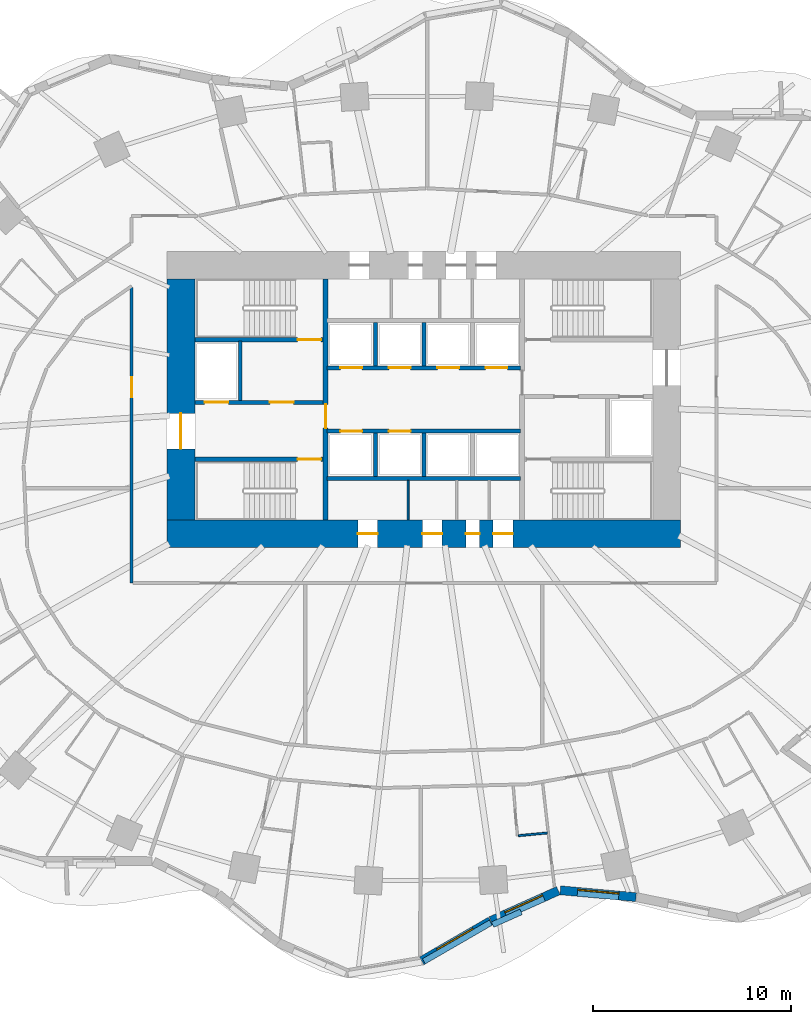
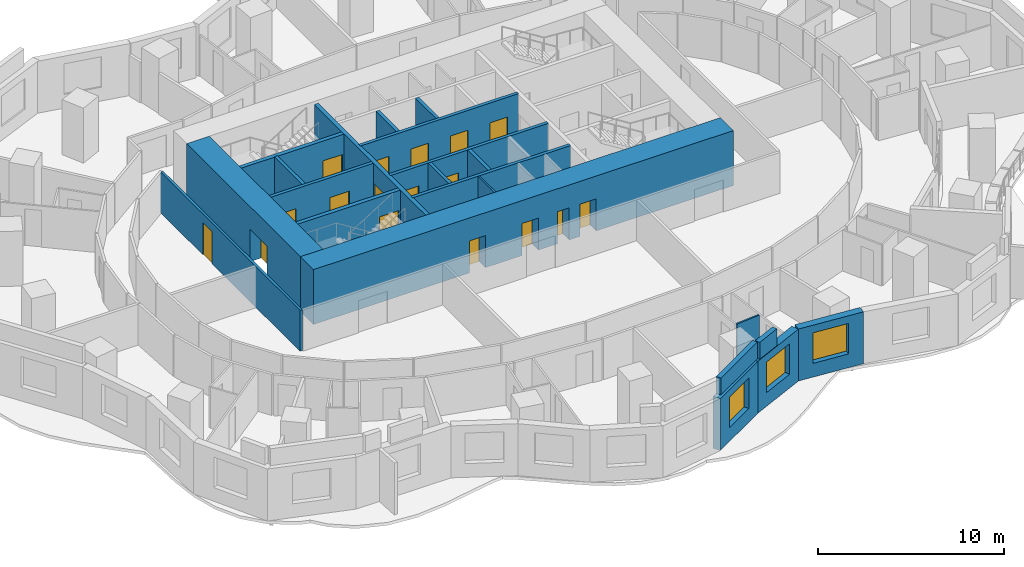
# One storey, part 6 of 14: 22 walls, 17 doors, 3 windows, 20 openings.
"""IFC4 building model written with IfcOpenShell, lengths in metres."""

import ifcopenshell
import ifcopenshell.guid

model = None  # the IFC model being written
_history = None  # IfcOwnerHistory: only IFC2X3 demands one
_inside = {}  # id of a spatial element -> (the spatial element, [elements in it])
_under = {}  # id of a project, library or spatial element -> (it, [spatial elements below it])
_declared = {}  # id of a project -> (the project, [libraries it declares])
_typed = {}  # id of a type object -> (the type object, [elements of that type])
_made_of = {}  # id of a material, layer set ... -> (it, [elements and type objects made of it])


def new_model(schema):
    """Start an empty IFC model of exactly this schema.

    Asked for "IFC4X3", IfcOpenShell would pick the latest addendum, in which some entities
    have other attributes; the version numbers below select the first issue.
    IFC2X3 requires an IfcOwnerHistory on every rooted entity: one is made here for all.
    """
    global model, _history
    if schema == "IFC4X3":
        model = ifcopenshell.file(schema_version=(4, 3, 0, 0))
    else:
        model = ifcopenshell.file(schema=schema)
    _inside.clear()
    _under.clear()
    _declared.clear()
    _typed.clear()
    _made_of.clear()
    _history = None
    if model.schema == "IFC2X3":
        org = make("IfcOrganization", Name="unknown")
        user = make(
            "IfcPersonAndOrganization",
            ThePerson=make("IfcPerson", FamilyName="unknown"),
            TheOrganization=org,
        )
        app = make(
            "IfcApplication",
            ApplicationDeveloper=org,
            Version="unknown",
            ApplicationFullName="unknown",
            ApplicationIdentifier="unknown",
        )
        _history = make(
            "IfcOwnerHistory",
            OwningUser=user,
            OwningApplication=app,
            ChangeAction="ADDED",
            CreationDate=0,
        )
    return model


def make(cls, **values):
    """One entity of the class cls with the attributes given. An attribute that is None is left unset."""
    return model.create_entity(
        cls, **{name: value for name, value in values.items() if value is not None}
    )


def rooted(cls, **values):
    """An entity with a GlobalId (a new one), such as an element, a storey or a relation."""
    return make(cls, GlobalId=ifcopenshell.guid.new(), OwnerHistory=_history, **values)


def si_unit(unit_type, name, prefix=None):
    """IfcSIUnit, for example si_unit("LENGTHUNIT", "METRE", prefix="MILLI")."""
    return make("IfcSIUnit", UnitType=unit_type, Prefix=prefix, Name=name)


def assignment(units):
    """IfcUnitAssignment: the units of a project."""
    return None if units is None else make("IfcUnitAssignment", Units=units)


def point(xyz):
    """IfcCartesianPoint."""
    return None if xyz is None else make("IfcCartesianPoint", Coordinates=xyz)


def direction(xyz):
    """IfcDirection."""
    return None if xyz is None else make("IfcDirection", DirectionRatios=xyz)


def frame(location, z_axis=None, x_axis=None):
    """IfcAxis2Placement3D, a coordinate frame: its origin and axes. An axis left out is left unset."""
    return make(
        "IfcAxis2Placement3D",
        Location=point(location),
        Axis=direction(z_axis),
        RefDirection=direction(x_axis),
    )


def frame_2d(location, x_axis=None):
    """IfcAxis2Placement2D, a coordinate frame in the plane: its origin and x axis."""
    return make(
        "IfcAxis2Placement2D", Location=point(location), RefDirection=direction(x_axis)
    )


def origin():
    """The frame at (0, 0, 0) with its axes left unset."""
    return frame((0.0, 0.0, 0.0))


def place(relative_to, where):
    """IfcLocalPlacement: puts the frame where relative to a parent placement (None: the world)."""
    return make(
        "IfcLocalPlacement", PlacementRelTo=relative_to, RelativePlacement=where
    )


def context(
    kind, dimensions, precision=None, world=None, true_north=None, identifier=None
):
    """IfcGeometricRepresentationContext, for example the 3D "Model" context."""
    return make(
        "IfcGeometricRepresentationContext",
        ContextIdentifier=identifier,
        ContextType=kind,
        CoordinateSpaceDimension=dimensions,
        Precision=precision,
        WorldCoordinateSystem=world,
        TrueNorth=true_north,
    )


def subcontext(parent, identifier, kind, view, scale=None):
    """IfcGeometricRepresentationSubContext, for example "Body" below "Model"."""
    return make(
        "IfcGeometricRepresentationSubContext",
        ContextIdentifier=identifier,
        ContextType=kind,
        ParentContext=parent,
        TargetScale=scale,
        TargetView=view,
    )


def project(units=None, contexts=None):
    """IfcProject with its units and contexts."""
    return rooted(
        "IfcProject",
        Name="project",
        RepresentationContexts=contexts,
        UnitsInContext=assignment(units),
    )


def spatial(cls, under=None, at=None, **own):
    """A site, building, storey or space (cls), placed at a placement, below another one or the project."""
    s = rooted(cls, ObjectPlacement=at, **own)
    if under is not None:
        _under.setdefault(under.id(), (under, []))[1].append(s)
    return s


def profile(cls, at=None, kind="AREA", **sizes):
    """A parametric profile (cls). Its sizes go by their IFC names, for example OverallWidth=200.0."""
    return make(cls, ProfileType=kind, Position=at, **sizes)


def rectangle(**sizes):
    """IfcRectangleProfileDef."""
    return profile("IfcRectangleProfileDef", **sizes)


def extrude(swept, where, along, depth):
    """IfcExtrudedAreaSolid: the profile swept, set in the frame where, extruded along a direction by depth."""
    return make(
        "IfcExtrudedAreaSolid",
        SweptArea=swept,
        Position=where,
        ExtrudedDirection=direction(along),
        Depth=depth,
    )


def shape(context_of_items, identifier, shape_type, items):
    """IfcShapeRepresentation: the items that make up one representation, for example the "Body"."""
    return make(
        "IfcShapeRepresentation",
        ContextOfItems=context_of_items,
        RepresentationIdentifier=identifier,
        RepresentationType=shape_type,
        Items=items,
    )


def material(Name=None, Category=None):
    """IfcMaterial."""
    return make("IfcMaterial", Name=Name, Category=Category)


def layer(
    of_material, thickness, ventilated=None, Name=None, Category=None, Priority=None
):
    """IfcMaterialLayer: one layer of a wall or slab, of a material (None: an air gap)."""
    return make(
        "IfcMaterialLayer",
        Material=of_material,
        LayerThickness=thickness,
        IsVentilated=ventilated,
        Name=Name,
        Category=Category,
        Priority=Priority,
    )


def layer_set(layers, Name=None):
    """IfcMaterialLayerSet."""
    return make("IfcMaterialLayerSet", MaterialLayers=layers, LayerSetName=Name)


def made_of(thing, what):
    """Note that an element or type object is made of a material, layer set ...; save() writes the relation."""
    if what is not None:
        _made_of.setdefault(what.id(), (what, []))[1].append(thing)
    return thing


def type_object(cls, material=None, **own):
    """A type object (cls), such as IfcWallType, which elements share."""
    return made_of(rooted(cls, **own), material)


def element(
    cls,
    number,
    at=None,
    inside=None,
    cuts=None,
    type_object=None,
    material=None,
    context=None,
    identifier="Body",
    shape_type=None,
    held_by="IfcProductDefinitionShape",
    body=None,
    shapes=None,
    **own,
):
    """One element of the class cls, such as IfcWall. Its Tag is "e" and its number.

    at: its placement. inside: the storey or other place that contains it. cuts: it is an
    opening in that element (IfcRelVoidsElement). A single representation is given by context,
    identifier, shape_type and body (its items); several are given by shapes. held_by: the class
    of the entity that holds the representations. save() writes the other relations.
    """
    e = rooted(cls, Tag="e%d" % number, ObjectPlacement=at, **own)
    if body is not None:
        shapes = [shape(context, identifier, shape_type, body)]
    if shapes is not None:
        e.Representation = make(held_by, Representations=shapes)
    if inside is not None:
        _inside.setdefault(inside.id(), (inside, []))[1].append(e)
    if cuts is not None:
        rooted(
            "IfcRelVoidsElement", RelatingBuildingElement=cuts, RelatedOpeningElement=e
        )
    if type_object is not None:
        _typed.setdefault(type_object.id(), (type_object, []))[1].append(e)
    return made_of(e, material)


def fill(opening, filler):
    """IfcRelFillsElement: the door or window that sits in an opening."""
    return rooted(
        "IfcRelFillsElement",
        RelatingOpeningElement=opening,
        RelatedBuildingElement=filler,
    )


def aggregate(whole, parts):
    """IfcRelAggregates: a whole, such as a stair, and the parts it consists of."""
    return rooted("IfcRelAggregates", RelatingObject=whole, RelatedObjects=parts)


def save(model, path):
    """Write the relations noted so far, then the file.

    IfcRelAggregates (storeys below a building ...), IfcRelContainedInSpatialStructure (elements
    in a storey), IfcRelDefinesByType, IfcRelAssociatesMaterial and IfcRelDeclares: one each for
    every whole, place, type object, material and project.
    """
    for whole, parts in _under.values():
        aggregate(whole, parts)
    for where, things in _inside.values():
        rooted(
            "IfcRelContainedInSpatialStructure",
            RelatedElements=things,
            RelatingStructure=where,
        )
    for kind, things in _typed.values():
        rooted("IfcRelDefinesByType", RelatedObjects=things, RelatingType=kind)
    for what, things in _made_of.values():
        rooted("IfcRelAssociatesMaterial", RelatedObjects=things, RelatingMaterial=what)
    for by, libraries in _declared.values():
        rooted("IfcRelDeclares", RelatingContext=by, RelatedDefinitions=libraries)
    model.write(path)


model = new_model("IFC4")

# Units and contexts
model_context = context("Model", 3, precision=1e-05, world=origin(), true_north=direction((0.0, 1.0)))
body_context = subcontext(model_context, "Body", "Model", "MODEL_VIEW")
ifc_project = project(units=[si_unit("LENGTHUNIT", "METRE"), si_unit("AREAUNIT", "SQUARE_METRE"), si_unit("VOLUMEUNIT", "CUBIC_METRE"), si_unit("PLANEANGLEUNIT", "RADIAN"), si_unit("MASSUNIT", "GRAM", prefix="KILO")], contexts=[model_context])

# Site, building, storey
site_placement = place(None, origin())
site = spatial("IfcSite", under=ifc_project, at=site_placement, CompositionType="ELEMENT")
building_placement = place(site_placement, origin())
building = spatial("IfcBuilding", under=site, at=building_placement, Name="Rubra Terraces Tower", CompositionType="ELEMENT")
storey_placement = place(building_placement, frame((0.0, 0.0, 62.699951171875)))
storey = spatial("IfcBuildingStorey", under=building, at=storey_placement, Name="L13", CompositionType="ELEMENT", Elevation=62.699951171875)

# Wall, opening, window
ifc_material_1 = material(Name="Brick masonry red-brown", Category="masonry")
ifc_layer_1 = layer(ifc_material_1, 0.449951171875)
ifc_layer_set_1 = layer_set([ifc_layer_1], Name="Brick masonry red-brown")
wall_type_1 = type_object("IfcWallType", Name="Brick facade wall 450", PredefinedType="SOLIDWALL", material=ifc_layer_set_1)
wall_1_placement = place(storey_placement, frame((-0.109375, -23.92041015625, 0.0), z_axis=(0.0, 0.0, 1.0), x_axis=(0.865557769603, 0.500809092848, 0.0)))
wall_1 = element("IfcWall", 1, at=wall_1_placement, inside=storey, type_object=wall_type_1, Name="Facade wall L13 bay 31", PredefinedType="SOLIDWALL", context=body_context, shape_type="SweptSolid", body=[
    extrude(rectangle(XDim=4.024658203125, YDim=0.449951171875, at=frame_2d((2.01220703125, 0.0))), origin(), (0.0, 0.0, 1.0), 3.400146484375),
])
opening_1_placement = place(wall_1_placement, frame((0.96240234375, 0.0, 0.89990234375)))
opening_1 = element("IfcOpeningElement", 2, at=opening_1_placement, cuts=wall_1, Name="Opening W1", PredefinedType="OPENING", context=body_context, shape_type="SweptSolid", body=[
    extrude(rectangle(XDim=2.10009765625, YDim=2.0, at=frame_2d((1.050048828125, 1.0))), frame((0.0, 0.23486328125, 0.0), z_axis=(0.0, -1.0, 0.0), x_axis=(1.0, 0.0, 0.0)), (0.0, 0.0, 1.0), 0.469970703125),
])
ifc_material_2 = material(Name="Clear glass in aluminium frame", Category="aluminium")
window_type = type_object("IfcWindowType", Name="Fixed deep-set window 2100 x 2000", PartitioningType="SINGLE_PANEL", PredefinedType="WINDOW", material=ifc_material_2)
window_1_placement = place(opening_1_placement, origin())
window_1 = element("IfcWindow", 3, at=window_1_placement, inside=storey, type_object=window_type, Name="Window L13 bay 31", OverallHeight=2.0, OverallWidth=2.10009765625, PartitioningType="SINGLE_PANEL", PredefinedType="WINDOW", context=body_context, shape_type="SweptSolid", body=[
    extrude(rectangle(XDim=2.10009765625, YDim=2.0, at=frame_2d((1.050048828125, 1.0))), frame((0.0, 0.135009765625, 0.0), z_axis=(0.0, -1.0, 0.0), x_axis=(1.0, 0.0, 0.0)), (0.0, 0.0, 1.0), 0.06005859375),
])
fill(opening_1, window_1)

wall_2_placement = place(storey_placement, frame((3.395263671875, -21.894287109375, 0.0), z_axis=(0.0, 0.0, 1.0), x_axis=(0.912496703183, 0.409084058208, 0.0)))
wall_2 = element("IfcWall", 4, at=wall_2_placement, inside=storey, type_object=wall_type_1, Name="Facade wall L13 bay 32", PredefinedType="SOLIDWALL", context=body_context, shape_type="SweptSolid", body=[
    extrude(rectangle(XDim=3.73486328125, YDim=0.449951171875, at=frame_2d((1.867431640625, 0.0))), origin(), (0.0, 0.0, 1.0), 3.400146484375),
])
opening_2_placement = place(wall_2_placement, frame((0.8173828125, 0.0, 0.89990234375)))
opening_2 = element("IfcOpeningElement", 5, at=opening_2_placement, cuts=wall_2, Name="Opening W1", PredefinedType="OPENING", context=body_context, shape_type="SweptSolid", body=[
    extrude(rectangle(XDim=2.10009765625, YDim=2.0, at=frame_2d((1.050048828125, 1.0))), frame((0.0, 0.23486328125, 0.0), z_axis=(0.0, -1.0, 0.0), x_axis=(1.0, 0.0, 0.0)), (0.0, 0.0, 1.0), 0.469970703125),
])
window_2_placement = place(opening_2_placement, origin())
window_2 = element("IfcWindow", 6, at=window_2_placement, inside=storey, type_object=window_type, Name="Window L13 bay 32", OverallHeight=2.0, OverallWidth=2.10009765625, PartitioningType="SINGLE_PANEL", PredefinedType="WINDOW", context=body_context, shape_type="SweptSolid", body=[
    extrude(rectangle(XDim=2.10009765625, YDim=2.0, at=frame_2d((1.050048828125, 1.0))), frame((0.0, 0.135009765625, 0.0), z_axis=(0.0, -1.0, 0.0), x_axis=(1.0, 0.0, 0.0)), (0.0, 0.0, 1.0), 0.06005859375),
])
fill(opening_2, window_2)

wall_3_placement = place(storey_placement, frame((6.905517578125, -20.348876953125, 0.0), z_axis=(0.0, 0.0, 1.0), x_axis=(0.995947174038, -0.089940127451, 0.0)))
wall_3 = element("IfcWall", 7, at=wall_3_placement, inside=storey, type_object=wall_type_1, Name="Facade wall L13 bay 33", PredefinedType="SOLIDWALL", context=body_context, shape_type="SweptSolid", body=[
    extrude(rectangle(XDim=3.84375, YDim=0.449951171875, at=frame_2d((1.921875, 0.0))), origin(), (0.0, 0.0, 1.0), 3.400146484375),
])
opening_3_placement = place(wall_3_placement, frame((0.871826171875, 0.0, 0.89990234375)))
opening_3 = element("IfcOpeningElement", 8, at=opening_3_placement, cuts=wall_3, Name="Opening W1", PredefinedType="OPENING", context=body_context, shape_type="SweptSolid", body=[
    extrude(rectangle(XDim=2.10009765625, YDim=2.0, at=frame_2d((1.050048828125, 1.0))), frame((0.0, 0.23486328125, 0.0), z_axis=(0.0, -1.0, 0.0), x_axis=(1.0, 0.0, 0.0)), (0.0, 0.0, 1.0), 0.469970703125),
])
window_3_placement = place(opening_3_placement, origin())
window_3 = element("IfcWindow", 9, at=window_3_placement, inside=storey, type_object=window_type, Name="Window L13 bay 33", OverallHeight=2.0, OverallWidth=2.10009765625, PartitioningType="SINGLE_PANEL", PredefinedType="WINDOW", context=body_context, shape_type="SweptSolid", body=[
    extrude(rectangle(XDim=2.10009765625, YDim=2.0, at=frame_2d((1.050048828125, 1.0))), frame((0.0, 0.135009765625, 0.0), z_axis=(0.0, -1.0, 0.0), x_axis=(1.0, 0.0, 0.0)), (0.0, 0.0, 1.0), 0.06005859375),
])
fill(opening_3, window_3)

# Walls
ifc_layer_2 = layer(ifc_material_1, 0.300048828125)
ifc_layer_set_2 = layer_set([ifc_layer_2], Name="Brick masonry red-brown")
wall_type_2 = type_object("IfcWallType", Name="Brick parapet 300", PredefinedType="PARAPET", material=ifc_layer_set_2)
wall_4_placement = place(storey_placement, frame((-0.002197265625, -23.945068359375, 3.60009765625), z_axis=(0.0, 0.0, 1.0), x_axis=(0.865550152763, 0.500822256945, 0.0)))
element("IfcWall", 10, at=wall_4_placement, inside=storey, type_object=wall_type_2, Name="Parapet L13 bay 31", PredefinedType="PARAPET", context=body_context, shape_type="SweptSolid", body=[
    extrude(rectangle(XDim=3.91259765625, YDim=0.300048828125, at=frame_2d((1.956298828125, 0.0))), origin(), (0.0, 0.0, 1.0), 1.099853515625),
])
wall_5_placement = place(storey_placement, frame((3.4775390625, -22.0869140625, 3.60009765625), z_axis=(0.0, 0.0, 1.0), x_axis=(0.91246752391, 0.409149138835, 0.0)))
element("IfcWall", 11, at=wall_5_placement, inside=storey, type_object=wall_type_2, Name="Parapet L13 bay 32", PredefinedType="PARAPET", context=body_context, shape_type="SweptSolid", body=[
    extrude(rectangle(XDim=1.578857421875, YDim=0.300048828125, at=frame_2d((0.78955078125, 0.0))), origin(), (0.0, 0.0, 1.0), 1.099853515625),
])

# Wall, openings, doors
ifc_material_3 = material(Name="Concrete C70", Category="concrete")
ifc_layer_3 = layer(ifc_material_3, 1.39990234375)
ifc_layer_set_3 = layer_set([ifc_layer_3], Name="Concrete C70")
wall_type_3 = type_object("IfcWallType", Name="CORE WALL 1400 C70", PredefinedType="SHEAR", material=ifc_layer_set_3)
wall_6_placement = place(storey_placement, frame((-13.0, -2.300048828125, 0.0), z_axis=(0.0, 0.0, 1.0), x_axis=(1.0, 0.0, 0.0)))
wall_6 = element("IfcWall", 12, at=wall_6_placement, inside=storey, type_object=wall_type_3, Name="CORE WALL S L13", PredefinedType="SHEAR", context=body_context, shape_type="SweptSolid", body=[
    extrude(rectangle(XDim=26.0, YDim=1.39990234375, at=frame_2d((13.0, 0.0))), origin(), (0.0, 0.0, 1.0), 3.60009765625),
])
opening_4_placement = place(wall_6_placement, frame((9.64990234375, 0.0, 0.0)))
opening_4 = element("IfcOpeningElement", 13, at=opening_4_placement, cuts=wall_6, Name="Opening L13.C19", PredefinedType="OPENING", context=body_context, shape_type="SweptSolid", body=[
    extrude(rectangle(XDim=1.0, YDim=2.10009765625, at=frame_2d((0.5, 1.050048828125))), frame((0.0, 0.7099609375, 0.0), z_axis=(0.0, -1.0, 0.0), x_axis=(1.0, 0.0, 0.0)), (0.0, 0.0, 1.0), 1.419921875),
])
opening_5_placement = place(wall_6_placement, frame((12.925048828125, 0.0, 0.0)))
opening_5 = element("IfcOpeningElement", 14, at=opening_5_placement, cuts=wall_6, Name="Opening L13.C20", PredefinedType="OPENING", context=body_context, shape_type="SweptSolid", body=[
    extrude(rectangle(XDim=1.0, YDim=2.10009765625, at=frame_2d((0.5, 1.050048828125))), frame((0.0, 0.7099609375, 0.0), z_axis=(0.0, -1.0, 0.0), x_axis=(1.0, 0.0, 0.0)), (0.0, 0.0, 1.0), 1.419921875),
])
opening_6_placement = place(wall_6_placement, frame((15.125, 0.0, 0.0)))
opening_6 = element("IfcOpeningElement", 15, at=opening_6_placement, cuts=wall_6, Name="Opening L13.C21", PredefinedType="OPENING", context=body_context, shape_type="SweptSolid", body=[
    extrude(rectangle(XDim=0.699951171875, YDim=2.10009765625, at=frame_2d((0.35009765625, 1.050048828125))), frame((0.0, 0.7099609375, 0.0), z_axis=(0.0, -1.0, 0.0), x_axis=(1.0, 0.0, 0.0)), (0.0, 0.0, 1.0), 1.419921875),
])
opening_7_placement = place(wall_6_placement, frame((16.5, 0.0, 0.0)))
opening_7 = element("IfcOpeningElement", 16, at=opening_7_placement, cuts=wall_6, Name="Opening L13.C22", PredefinedType="OPENING", context=body_context, shape_type="SweptSolid", body=[
    extrude(rectangle(XDim=1.0, YDim=2.10009765625, at=frame_2d((0.5, 1.050048828125))), frame((0.0, 0.7099609375, 0.0), z_axis=(0.0, -1.0, 0.0), x_axis=(1.0, 0.0, 0.0)), (0.0, 0.0, 1.0), 1.419921875),
])
ifc_material_4 = material(Name="Painted steel", Category="steel")
door_type_1 = type_object("IfcDoorType", Name="Fire door 1000x2100 single", OperationType="NOTDEFINED", PredefinedType="DOOR", material=ifc_material_4)
door_1_placement = place(opening_4_placement, origin())
door_1 = element("IfcDoor", 17, at=door_1_placement, inside=storey, type_object=door_type_1, Name="Linen store door", OperationType="SINGLE_SWING_LEFT", OverallHeight=2.10009765625, OverallWidth=1.0, PredefinedType="DOOR", context=body_context, shape_type="SweptSolid", body=[
    extrude(rectangle(XDim=1.0, YDim=2.10009765625, at=frame_2d((0.5, 1.050048828125))), frame((0.0, 0.02490234375, 0.0), z_axis=(0.0, -1.0, 0.0), x_axis=(1.0, 0.0, 0.0)), (0.0, 0.0, 1.0), 0.050048828125),
])
fill(opening_4, door_1)
door_2_placement = place(opening_5_placement, origin())
door_2 = element("IfcDoor", 18, at=door_2_placement, inside=storey, type_object=door_type_1, Name="Guest pantry door", OperationType="SINGLE_SWING_RIGHT", OverallHeight=2.10009765625, OverallWidth=1.0, PredefinedType="DOOR", context=body_context, shape_type="SweptSolid", body=[
    extrude(rectangle(XDim=1.0, YDim=2.10009765625, at=frame_2d((0.5, 1.050048828125))), frame((0.0, 0.02490234375, 0.0), z_axis=(0.0, -1.0, 0.0), x_axis=(1.0, 0.0, 0.0)), (0.0, 0.0, 1.0), 0.050048828125),
])
fill(opening_5, door_2)
door_3_placement = place(opening_7_placement, origin())
door_3 = element("IfcDoor", 19, at=door_3_placement, inside=storey, type_object=door_type_1, Name="Refuse room door", OperationType="SINGLE_SWING_RIGHT", OverallHeight=2.10009765625, OverallWidth=1.0, PredefinedType="DOOR", context=body_context, shape_type="SweptSolid", body=[
    extrude(rectangle(XDim=1.0, YDim=2.10009765625, at=frame_2d((0.5, 1.050048828125))), frame((0.0, 0.02490234375, 0.0), z_axis=(0.0, -1.0, 0.0), x_axis=(1.0, 0.0, 0.0)), (0.0, 0.0, 1.0), 0.050048828125),
])
fill(opening_7, door_3)
door_type_2 = type_object("IfcDoorType", Name="Riser access door 700x2100 single", OperationType="NOTDEFINED", PredefinedType="DOOR", material=ifc_material_4)
door_4_placement = place(opening_6_placement, origin())
door_4 = element("IfcDoor", 20, at=door_4_placement, inside=storey, type_object=door_type_2, Name="Telecoms room door", OperationType="SINGLE_SWING_LEFT", OverallHeight=2.10009765625, OverallWidth=0.699951171875, PredefinedType="DOOR", context=body_context, shape_type="SweptSolid", body=[
    extrude(rectangle(XDim=0.699951171875, YDim=2.10009765625, at=frame_2d((0.35009765625, 1.050048828125))), frame((0.0, 0.02490234375, 0.0), z_axis=(0.0, -1.0, 0.0), x_axis=(1.0, 0.0, 0.0)), (0.0, 0.0, 1.0), 0.050048828125),
])
fill(opening_6, door_4)

# Wall, opening, door
wall_7_placement = place(storey_placement, frame((-12.300048828125, -1.60009765625, 0.0), z_axis=(0.0, 0.0, 1.0), x_axis=(0.0, 1.0, 0.0)))
wall_7 = element("IfcWall", 21, at=wall_7_placement, inside=storey, type_object=wall_type_3, Name="CORE WALL W L13", PredefinedType="SHEAR", context=body_context, shape_type="SweptSolid", body=[
    extrude(rectangle(XDim=12.2001953125, YDim=1.39990234375, at=frame_2d((6.10009765625, 0.0))), origin(), (0.0, 0.0, 1.0), 3.60009765625),
])
opening_8_placement = place(wall_7_placement, frame((3.60009765625, 0.0, 0.0)))
opening_8 = element("IfcOpeningElement", 22, at=opening_8_placement, cuts=wall_7, Name="Opening L13.C01", PredefinedType="OPENING", context=body_context, shape_type="SweptSolid", body=[
    extrude(rectangle(XDim=1.800048828125, YDim=2.10009765625, at=frame_2d((0.89990234375, 1.050048828125))), frame((0.0, 0.7099609375, 0.0), z_axis=(0.0, -1.0, 0.0), x_axis=(1.0, 0.0, 0.0)), (0.0, 0.0, 1.0), 1.419921875),
])
door_type_3 = type_object("IfcDoorType", Name="Fire door 1800x2100 double", OperationType="NOTDEFINED", PredefinedType="DOOR", material=ifc_material_4)
door_5_placement = place(opening_8_placement, origin())
door_5 = element("IfcDoor", 23, at=door_5_placement, inside=storey, type_object=door_type_3, Name="Core entrance door FF1", OperationType="DOUBLE_DOOR_SINGLE_SWING", OverallHeight=2.10009765625, OverallWidth=1.800048828125, PredefinedType="DOOR", context=body_context, shape_type="SweptSolid", body=[
    extrude(rectangle(XDim=1.800048828125, YDim=2.10009765625, at=frame_2d((0.89990234375, 1.050048828125))), frame((0.0, 0.02490234375, 0.0), z_axis=(0.0, -1.0, 0.0), x_axis=(1.0, 0.0, 0.0)), (0.0, 0.0, 1.0), 0.050048828125),
])
fill(opening_8, door_5)

ifc_material_5 = material(Name="Plasterboard on steel stud, mineral wool infill", Category="steel")
ifc_layer_4 = layer(ifc_material_5, 0.14990234375)
ifc_layer_set_4 = layer_set([ifc_layer_4], Name="Plasterboard on steel stud, mineral wool infill")
wall_type_4 = type_object("IfcWallType", Name="CORRIDOR PARTITION 150", PredefinedType="PARTITIONING", material=ifc_layer_set_4)
wall_8_placement = place(storey_placement, frame((-14.800048828125, 10.159912109375, 0.0), z_axis=(0.0, 0.0, 1.0), x_axis=(0.0, -1.0, 0.0)))
wall_8 = element("IfcWall", 24, at=wall_8_placement, inside=storey, type_object=wall_type_4, Name="PARTITION", PredefinedType="PARTITIONING", context=body_context, shape_type="SweptSolid", body=[
    extrude(rectangle(XDim=14.9599609375, YDim=0.14990234375, at=frame_2d((7.47998046875, 0.0))), origin(), (0.0, 0.0, 1.0), 2.679931640625),
])
opening_9_placement = place(wall_8_placement, frame((4.54296875, 0.0, 0.0)))
opening_9 = element("IfcOpeningElement", 25, at=opening_9_placement, cuts=wall_8, Name="Opening 13-135", PredefinedType="OPENING", context=body_context, shape_type="SweptSolid", body=[
    extrude(rectangle(XDim=1.0, YDim=2.10009765625, at=frame_2d((0.5, 1.050048828125))), frame((0.0, 0.0849609375, 0.0), z_axis=(0.0, -1.0, 0.0), x_axis=(1.0, 0.0, 0.0)), (0.0, 0.0, 1.0), 0.169921875),
])
ifc_material_6 = material(Name="Painted timber door leaf", Category="wood")
door_type_4 = type_object("IfcDoorType", Name="ROOM DOOR 1000 X 2100", OperationType="SINGLE_SWING_LEFT", PredefinedType="DOOR", material=ifc_material_6)
door_6_placement = place(opening_9_placement, origin())
door_6 = element("IfcDoor", 26, at=door_6_placement, inside=storey, type_object=door_type_4, Name="DOOR 13-135", OperationType="SINGLE_SWING_RIGHT", OverallHeight=2.10009765625, OverallWidth=1.0, PredefinedType="DOOR", context=body_context, shape_type="SweptSolid", body=[
    extrude(rectangle(XDim=1.0, YDim=2.10009765625, at=frame_2d((0.5, 1.050048828125))), frame((0.0, 0.02490234375, 0.0), z_axis=(0.0, -1.0, 0.0), x_axis=(1.0, 0.0, 0.0)), (0.0, 0.0, 1.0), 0.050048828125),
])
fill(opening_9, door_6)

# Wall, openings, doors
ifc_material_7 = material(Name="Concrete C30", Category="concrete")
ifc_layer_5 = layer(ifc_material_7, 0.199951171875)
ifc_layer_set_5 = layer_set([ifc_layer_5], Name="Concrete C30")
wall_type_5 = type_object("IfcWallType", Name="Core wall 200 concrete", PredefinedType="SOLIDWALL", material=ifc_layer_set_5)
wall_9_placement = place(storey_placement, frame((-11.60009765625, 4.35009765625, 0.0), z_axis=(0.0, 0.0, 1.0), x_axis=(1.0, 0.0, 0.0)))
wall_9 = element("IfcWall", 27, at=wall_9_placement, inside=storey, type_object=wall_type_5, Name="STAIR WALL L13", PredefinedType="SOLIDWALL", context=body_context, shape_type="SweptSolid", body=[
    extrude(rectangle(XDim=6.5, YDim=0.199951171875, at=frame_2d((3.25, 0.0))), origin(), (0.0, 0.0, 1.0), 3.400146484375),
])
opening_10_placement = place(wall_9_placement, frame((3.800048828125, 0.0, 0.0)))
opening_10 = element("IfcOpeningElement", 28, at=opening_10_placement, cuts=wall_9, Name="Opening L13.C05", PredefinedType="OPENING", context=body_context, shape_type="SweptSolid", body=[
    extrude(rectangle(XDim=1.199951171875, YDim=2.10009765625, at=frame_2d((0.60009765625, 1.050048828125))), frame((0.0, 0.10986328125, 0.0), z_axis=(0.0, -1.0, 0.0), x_axis=(1.0, 0.0, 0.0)), (0.0, 0.0, 1.0), 0.219970703125),
])
opening_11_placement = place(wall_9_placement, frame((0.5, 0.0, 0.0)))
opening_11 = element("IfcOpeningElement", 29, at=opening_11_placement, cuts=wall_9, Name="Opening L13.C11", PredefinedType="OPENING", context=body_context, shape_type="SweptSolid", body=[
    extrude(rectangle(XDim=1.199951171875, YDim=2.10009765625, at=frame_2d((0.60009765625, 1.050048828125))), frame((0.0, 0.10986328125, 0.0), z_axis=(0.0, -1.0, 0.0), x_axis=(1.0, 0.0, 0.0)), (0.0, 0.0, 1.0), 0.219970703125),
])
door_type_5 = type_object("IfcDoorType", Name="Fire door 1200x2100 single", OperationType="NOTDEFINED", PredefinedType="DOOR", material=ifc_material_4)
door_7_placement = place(opening_10_placement, origin())
door_7 = element("IfcDoor", 30, at=door_7_placement, inside=storey, type_object=door_type_5, Name="Stair vestibule door S2", OperationType="SINGLE_SWING_LEFT", OverallHeight=2.10009765625, OverallWidth=1.199951171875, PredefinedType="DOOR", context=body_context, shape_type="SweptSolid", body=[
    extrude(rectangle(XDim=1.199951171875, YDim=2.10009765625, at=frame_2d((0.60009765625, 1.050048828125))), frame((0.0, 0.02490234375, 0.0), z_axis=(0.0, -1.0, 0.0), x_axis=(1.0, 0.0, 0.0)), (0.0, 0.0, 1.0), 0.050048828125),
])
fill(opening_10, door_7)
ifc_material_8 = material(Name="Stainless steel", Category="steel")
door_type_6 = type_object("IfcDoorType", Name="Lift landing door 1200x2100", OperationType="NOTDEFINED", PredefinedType="DOOR", material=ifc_material_8)
door_8_placement = place(opening_11_placement, origin())
door_8 = element("IfcDoor", 31, at=door_8_placement, inside=storey, type_object=door_type_6, Name="Landing door FF1", OperationType="SLIDING_TO_RIGHT", OverallHeight=2.10009765625, OverallWidth=1.199951171875, PredefinedType="DOOR", context=body_context, shape_type="SweptSolid", body=[
    extrude(rectangle(XDim=1.199951171875, YDim=2.10009765625, at=frame_2d((0.60009765625, 1.050048828125))), frame((0.0, 0.02490234375, 0.0), z_axis=(0.0, -1.0, 0.0), x_axis=(1.0, 0.0, 0.0)), (0.0, 0.0, 1.0), 0.050048828125),
])
fill(opening_11, door_8)

# Walls
wall_10_placement = place(storey_placement, frame((-9.300048828125, 4.449951171875, 0.0), z_axis=(0.0, 0.0, 1.0), x_axis=(0.0, 1.0, 0.0)))
element("IfcWall", 32, at=wall_10_placement, inside=storey, type_object=wall_type_5, Name="STAIR WALL L13", PredefinedType="SOLIDWALL", context=body_context, shape_type="SweptSolid", body=[
    extrude(rectangle(XDim=3.0, YDim=0.199951171875, at=frame_2d((1.5, 0.0))), origin(), (0.0, 0.0, 1.0), 3.400146484375),
])
wall_11_placement = place(storey_placement, frame((-4.89990234375, 0.5, 0.0), z_axis=(0.0, 0.0, 1.0), x_axis=(1.0, 0.0, 0.0)))
element("IfcWall", 33, at=wall_11_placement, inside=storey, type_object=wall_type_5, Name="LIFT SHAFT WALL L13", PredefinedType="SOLIDWALL", context=body_context, shape_type="SweptSolid", body=[
    extrude(rectangle(XDim=9.7998046875, YDim=0.199951171875, at=frame_2d((4.89990234375, 0.0))), origin(), (0.0, 0.0, 1.0), 3.400146484375),
])

# Wall, openings, doors
wall_12_placement = place(storey_placement, frame((-4.89990234375, 2.89990234375, 0.0), z_axis=(0.0, 0.0, 1.0), x_axis=(1.0, 0.0, 0.0)))
wall_12 = element("IfcWall", 34, at=wall_12_placement, inside=storey, type_object=wall_type_5, Name="LIFT SHAFT WALL L13", PredefinedType="SOLIDWALL", context=body_context, shape_type="SweptSolid", body=[
    extrude(rectangle(XDim=9.7998046875, YDim=0.199951171875, at=frame_2d((4.89990234375, 0.0))), origin(), (0.0, 0.0, 1.0), 3.400146484375),
])
opening_12_placement = place(wall_12_placement, frame((0.675048828125, 0.0, 0.0)))
opening_12 = element("IfcOpeningElement", 35, at=opening_12_placement, cuts=wall_12, Name="Opening L13.C13", PredefinedType="OPENING", context=body_context, shape_type="SweptSolid", body=[
    extrude(rectangle(XDim=1.10009765625, YDim=2.10009765625, at=frame_2d((0.550048828125, 1.050048828125))), frame((0.0, 0.10986328125, 0.0), z_axis=(0.0, -1.0, 0.0), x_axis=(1.0, 0.0, 0.0)), (0.0, 0.0, 1.0), 0.219970703125),
])
opening_13_placement = place(wall_12_placement, frame((3.125, 0.0, 0.0)))
opening_13 = element("IfcOpeningElement", 36, at=opening_13_placement, cuts=wall_12, Name="Opening L13.C14", PredefinedType="OPENING", context=body_context, shape_type="SweptSolid", body=[
    extrude(rectangle(XDim=1.10009765625, YDim=2.10009765625, at=frame_2d((0.550048828125, 1.050048828125))), frame((0.0, 0.10986328125, 0.0), z_axis=(0.0, -1.0, 0.0), x_axis=(1.0, 0.0, 0.0)), (0.0, 0.0, 1.0), 0.219970703125),
])
door_type_7 = type_object("IfcDoorType", Name="Lift landing door 1100x2100", OperationType="NOTDEFINED", PredefinedType="DOOR", material=ifc_material_8)
door_9_placement = place(opening_12_placement, origin())
door_9 = element("IfcDoor", 37, at=door_9_placement, inside=storey, type_object=door_type_7, Name="Landing door LB1", OperationType="SLIDING_TO_RIGHT", OverallHeight=2.10009765625, OverallWidth=1.10009765625, PredefinedType="DOOR", context=body_context, shape_type="SweptSolid", body=[
    extrude(rectangle(XDim=1.10009765625, YDim=2.10009765625, at=frame_2d((0.550048828125, 1.050048828125))), frame((0.0, 0.02490234375, 0.0), z_axis=(0.0, -1.0, 0.0), x_axis=(1.0, 0.0, 0.0)), (0.0, 0.0, 1.0), 0.050048828125),
])
fill(opening_12, door_9)
door_10_placement = place(opening_13_placement, origin())
door_10 = element("IfcDoor", 38, at=door_10_placement, inside=storey, type_object=door_type_7, Name="Landing door LB2", OperationType="SLIDING_TO_LEFT", OverallHeight=2.10009765625, OverallWidth=1.10009765625, PredefinedType="DOOR", context=body_context, shape_type="SweptSolid", body=[
    extrude(rectangle(XDim=1.10009765625, YDim=2.10009765625, at=frame_2d((0.550048828125, 1.050048828125))), frame((0.0, 0.02490234375, 0.0), z_axis=(0.0, -1.0, 0.0), x_axis=(1.0, 0.0, 0.0)), (0.0, 0.0, 1.0), 0.050048828125),
])
fill(opening_13, door_10)

wall_13_placement = place(storey_placement, frame((-4.89990234375, 6.10009765625, 0.0), z_axis=(0.0, 0.0, 1.0), x_axis=(1.0, 0.0, 0.0)))
wall_13 = element("IfcWall", 39, at=wall_13_placement, inside=storey, type_object=wall_type_5, Name="LIFT SHAFT WALL L13", PredefinedType="SOLIDWALL", context=body_context, shape_type="SweptSolid", body=[
    extrude(rectangle(XDim=9.7998046875, YDim=0.199951171875, at=frame_2d((4.89990234375, 0.0))), origin(), (0.0, 0.0, 1.0), 3.400146484375),
])
opening_14_placement = place(wall_13_placement, frame((0.675048828125, 0.0, 0.0)))
opening_14 = element("IfcOpeningElement", 40, at=opening_14_placement, cuts=wall_13, Name="Opening L13.C15", PredefinedType="OPENING", context=body_context, shape_type="SweptSolid", body=[
    extrude(rectangle(XDim=1.10009765625, YDim=2.10009765625, at=frame_2d((0.550048828125, 1.050048828125))), frame((0.0, 0.10986328125, 0.0), z_axis=(0.0, -1.0, 0.0), x_axis=(1.0, 0.0, 0.0)), (0.0, 0.0, 1.0), 0.219970703125),
])
opening_15_placement = place(wall_13_placement, frame((3.125, 0.0, 0.0)))
opening_15 = element("IfcOpeningElement", 41, at=opening_15_placement, cuts=wall_13, Name="Opening L13.C16", PredefinedType="OPENING", context=body_context, shape_type="SweptSolid", body=[
    extrude(rectangle(XDim=1.10009765625, YDim=2.10009765625, at=frame_2d((0.550048828125, 1.050048828125))), frame((0.0, 0.10986328125, 0.0), z_axis=(0.0, -1.0, 0.0), x_axis=(1.0, 0.0, 0.0)), (0.0, 0.0, 1.0), 0.219970703125),
])
opening_16_placement = place(wall_13_placement, frame((5.574951171875, 0.0, 0.0)))
opening_16 = element("IfcOpeningElement", 42, at=opening_16_placement, cuts=wall_13, Name="Opening L13.C17", PredefinedType="OPENING", context=body_context, shape_type="SweptSolid", body=[
    extrude(rectangle(XDim=1.10009765625, YDim=2.10009765625, at=frame_2d((0.550048828125, 1.050048828125))), frame((0.0, 0.10986328125, 0.0), z_axis=(0.0, -1.0, 0.0), x_axis=(1.0, 0.0, 0.0)), (0.0, 0.0, 1.0), 0.219970703125),
])
opening_17_placement = place(wall_13_placement, frame((8.02490234375, 0.0, 0.0)))
opening_17 = element("IfcOpeningElement", 43, at=opening_17_placement, cuts=wall_13, Name="Opening L13.C18", PredefinedType="OPENING", context=body_context, shape_type="SweptSolid", body=[
    extrude(rectangle(XDim=1.10009765625, YDim=2.10009765625, at=frame_2d((0.550048828125, 1.050048828125))), frame((0.0, 0.10986328125, 0.0), z_axis=(0.0, -1.0, 0.0), x_axis=(1.0, 0.0, 0.0)), (0.0, 0.0, 1.0), 0.219970703125),
])
door_11_placement = place(opening_14_placement, origin())
door_11 = element("IfcDoor", 44, at=door_11_placement, inside=storey, type_object=door_type_7, Name="Landing door LB3", OperationType="SLIDING_TO_RIGHT", OverallHeight=2.10009765625, OverallWidth=1.10009765625, PredefinedType="DOOR", context=body_context, shape_type="SweptSolid", body=[
    extrude(rectangle(XDim=1.10009765625, YDim=2.10009765625, at=frame_2d((0.550048828125, 1.050048828125))), frame((0.0, 0.02490234375, 0.0), z_axis=(0.0, -1.0, 0.0), x_axis=(1.0, 0.0, 0.0)), (0.0, 0.0, 1.0), 0.050048828125),
])
fill(opening_14, door_11)
door_12_placement = place(opening_15_placement, origin())
door_12 = element("IfcDoor", 45, at=door_12_placement, inside=storey, type_object=door_type_7, Name="Landing door LB4", OperationType="SLIDING_TO_LEFT", OverallHeight=2.10009765625, OverallWidth=1.10009765625, PredefinedType="DOOR", context=body_context, shape_type="SweptSolid", body=[
    extrude(rectangle(XDim=1.10009765625, YDim=2.10009765625, at=frame_2d((0.550048828125, 1.050048828125))), frame((0.0, 0.02490234375, 0.0), z_axis=(0.0, -1.0, 0.0), x_axis=(1.0, 0.0, 0.0)), (0.0, 0.0, 1.0), 0.050048828125),
])
fill(opening_15, door_12)
door_13_placement = place(opening_16_placement, origin())
door_13 = element("IfcDoor", 46, at=door_13_placement, inside=storey, type_object=door_type_7, Name="Landing door LB5", OperationType="SLIDING_TO_RIGHT", OverallHeight=2.10009765625, OverallWidth=1.10009765625, PredefinedType="DOOR", context=body_context, shape_type="SweptSolid", body=[
    extrude(rectangle(XDim=1.10009765625, YDim=2.10009765625, at=frame_2d((0.550048828125, 1.050048828125))), frame((0.0, 0.02490234375, 0.0), z_axis=(0.0, -1.0, 0.0), x_axis=(1.0, 0.0, 0.0)), (0.0, 0.0, 1.0), 0.050048828125),
])
fill(opening_16, door_13)
door_14_placement = place(opening_17_placement, origin())
door_14 = element("IfcDoor", 47, at=door_14_placement, inside=storey, type_object=door_type_7, Name="Landing door LB6", OperationType="SLIDING_TO_LEFT", OverallHeight=2.10009765625, OverallWidth=1.10009765625, PredefinedType="DOOR", context=body_context, shape_type="SweptSolid", body=[
    extrude(rectangle(XDim=1.10009765625, YDim=2.10009765625, at=frame_2d((0.550048828125, 1.050048828125))), frame((0.0, 0.02490234375, 0.0), z_axis=(0.0, -1.0, 0.0), x_axis=(1.0, 0.0, 0.0)), (0.0, 0.0, 1.0), 0.050048828125),
])
fill(opening_17, door_14)

# Walls
for number, where, z_axis, x_axis, name in (
    (48, (-2.449951171875, 0.60009765625, 0.0), (0.0, 0.0, 1.0), (0.0, 1.0, 0.0), "LIFT SHAFT WALL L13"),
    (49, (0.0, 0.60009765625, 0.0), (0.0, 0.0, 1.0), (0.0, 1.0, 0.0), "LIFT SHAFT WALL L13"),
    (50, (-2.449951171875, 6.199951171875, 0.0), (0.0, 0.0, 1.0), (0.0, 1.0, 0.0), "LIFT SHAFT WALL L13"),
    (51, (0.0, 6.199951171875, 0.0), (0.0, 0.0, 1.0), (0.0, 1.0, 0.0), "LIFT SHAFT WALL L13"),
):
    element("IfcWall", number, at=place(storey_placement, frame(where, z_axis=z_axis, x_axis=x_axis)), inside=storey, type_object=wall_type_5, Name=name, PredefinedType="SOLIDWALL", context=body_context, shape_type="SweptSolid", body=[
        extrude(rectangle(XDim=2.199951171875, YDim=0.199951171875, at=frame_2d((1.10009765625, 0.0))), origin(), (0.0, 0.0, 1.0), 3.400146484375),
    ])
ifc_material_9 = material(Name="Plasterboard on steel stud", Category="steel")
ifc_layer_6 = layer(ifc_material_9, 0.10009765625)
ifc_layer_set_6 = layer_set([ifc_layer_6], Name="Plasterboard on steel stud")
wall_type_6 = type_object("IfcWallType", Name="ROOM PARTITION 100", PredefinedType="PARTITIONING", material=ifc_layer_set_6)
wall_14_placement = place(storey_placement, frame((4.7841796875, -17.58349609375, 0.0), z_axis=(0.0, 0.0, 1.0), x_axis=(0.995655447425, 0.093114069899, 0.0)))
element("IfcWall", 52, at=wall_14_placement, inside=storey, type_object=wall_type_6, Name="PARTITION", PredefinedType="PARTITIONING", context=body_context, shape_type="SweptSolid", body=[
    extrude(rectangle(XDim=1.46826171875, YDim=0.10009765625, at=frame_2d((0.734130859375, 0.0))), origin(), (0.0, 0.0, 1.0), 2.679931640625),
])
ifc_material_10 = material(Name="Blockwork", Category="masonry")
ifc_layer_7 = layer(ifc_material_10, 0.10009765625)
ifc_layer_set_7 = layer_set([ifc_layer_7], Name="Blockwork")
wall_type_7 = type_object("IfcWallType", Name="Service partition 100 blockwork", PredefinedType="PARTITIONING", material=ifc_layer_set_7)
wall_15_placement = place(storey_placement, frame((-0.800048828125, -1.60009765625, 0.0), z_axis=(0.0, 0.0, 1.0), x_axis=(0.0, 1.0, 0.0)))
element("IfcWall", 53, at=wall_15_placement, inside=storey, type_object=wall_type_7, Name="SERVICE ROOM PARTITION L13", PredefinedType="PARTITIONING", context=body_context, shape_type="SweptSolid", body=[
    extrude(rectangle(XDim=2.0, YDim=0.10009765625, at=frame_2d((1.0, 0.0))), origin(), (0.0, 0.0, 1.0), 3.400146484375),
])

# Wall, opening, door
ifc_material_11 = material(Name="Concrete C40", Category="concrete")
ifc_layer_8 = layer(ifc_material_11, 0.25)
ifc_layer_set_8 = layer_set([ifc_layer_8], Name="Concrete C40")
wall_type_8 = type_object("IfcWallType", Name="Stair enclosure wall 250 concrete", PredefinedType="SOLIDWALL", material=ifc_layer_set_8)
wall_16_placement = place(storey_placement, frame((-11.60009765625, 1.47509765625, 0.0), z_axis=(0.0, 0.0, 1.0), x_axis=(1.0, 0.0, 0.0)))
wall_16 = element("IfcWall", 54, at=wall_16_placement, inside=storey, type_object=wall_type_8, Name="STAIR WALL L13", PredefinedType="SOLIDWALL", context=body_context, shape_type="SweptSolid", body=[
    extrude(rectangle(XDim=6.5, YDim=0.25, at=frame_2d((3.25, 0.0))), origin(), (0.0, 0.0, 1.0), 3.400146484375),
])
opening_18_placement = place(wall_16_placement, frame((5.199951171875, 0.0, 0.0)))
opening_18 = element("IfcOpeningElement", 55, at=opening_18_placement, cuts=wall_16, Name="Opening L13.C07", PredefinedType="OPENING", context=body_context, shape_type="SweptSolid", body=[
    extrude(rectangle(XDim=1.199951171875, YDim=2.10009765625, at=frame_2d((0.60009765625, 1.050048828125))), frame((0.0, 0.135009765625, 0.0), z_axis=(0.0, -1.0, 0.0), x_axis=(1.0, 0.0, 0.0)), (0.0, 0.0, 1.0), 0.27001953125),
])
door_15_placement = place(opening_18_placement, origin())
door_15 = element("IfcDoor", 56, at=door_15_placement, inside=storey, type_object=door_type_5, Name="Stair door S1", OperationType="SINGLE_SWING_LEFT", OverallHeight=2.10009765625, OverallWidth=1.199951171875, PredefinedType="DOOR", context=body_context, shape_type="SweptSolid", body=[
    extrude(rectangle(XDim=1.199951171875, YDim=2.10009765625, at=frame_2d((0.60009765625, 1.050048828125))), frame((0.0, 0.02490234375, 0.0), z_axis=(0.0, -1.0, 0.0), x_axis=(1.0, 0.0, 0.0)), (0.0, 0.0, 1.0), 0.050048828125),
])
fill(opening_18, door_15)

wall_17_placement = place(storey_placement, frame((-11.60009765625, 7.52490234375, 0.0), z_axis=(0.0, 0.0, 1.0), x_axis=(1.0, 0.0, 0.0)))
wall_17 = element("IfcWall", 57, at=wall_17_placement, inside=storey, type_object=wall_type_8, Name="STAIR WALL L13", PredefinedType="SOLIDWALL", context=body_context, shape_type="SweptSolid", body=[
    extrude(rectangle(XDim=6.5, YDim=0.25, at=frame_2d((3.25, 0.0))), origin(), (0.0, 0.0, 1.0), 3.400146484375),
])
opening_19_placement = place(wall_17_placement, frame((5.199951171875, 0.0, 0.0)))
opening_19 = element("IfcOpeningElement", 58, at=opening_19_placement, cuts=wall_17, Name="Opening L13.C09", PredefinedType="OPENING", context=body_context, shape_type="SweptSolid", body=[
    extrude(rectangle(XDim=1.199951171875, YDim=2.10009765625, at=frame_2d((0.60009765625, 1.050048828125))), frame((0.0, 0.135009765625, 0.0), z_axis=(0.0, -1.0, 0.0), x_axis=(1.0, 0.0, 0.0)), (0.0, 0.0, 1.0), 0.27001953125),
])
door_16_placement = place(opening_19_placement, origin())
door_16 = element("IfcDoor", 59, at=door_16_placement, inside=storey, type_object=door_type_5, Name="Stair door S2", OperationType="SINGLE_SWING_LEFT", OverallHeight=2.10009765625, OverallWidth=1.199951171875, PredefinedType="DOOR", context=body_context, shape_type="SweptSolid", body=[
    extrude(rectangle(XDim=1.199951171875, YDim=2.10009765625, at=frame_2d((0.60009765625, 1.050048828125))), frame((0.0, 0.02490234375, 0.0), z_axis=(0.0, -1.0, 0.0), x_axis=(1.0, 0.0, 0.0)), (0.0, 0.0, 1.0), 0.050048828125),
])
fill(opening_19, door_16)

wall_18_placement = place(storey_placement, frame((-4.97509765625, -1.60009765625, 0.0), z_axis=(0.0, 0.0, 1.0), x_axis=(0.0, 1.0, 0.0)))
wall_18 = element("IfcWall", 60, at=wall_18_placement, inside=storey, type_object=wall_type_8, Name="CORE LOBBY WALL L13", PredefinedType="SOLIDWALL", context=body_context, shape_type="SweptSolid", body=[
    extrude(rectangle(XDim=12.2001953125, YDim=0.25, at=frame_2d((6.10009765625, 0.0))), origin(), (0.0, 0.0, 1.0), 3.400146484375),
])
opening_20_placement = place(wall_18_placement, frame((4.64990234375, 0.0, 0.0)))
opening_20 = element("IfcOpeningElement", 61, at=opening_20_placement, cuts=wall_18, Name="Opening L13.C03", PredefinedType="OPENING", context=body_context, shape_type="SweptSolid", body=[
    extrude(rectangle(XDim=1.199951171875, YDim=2.10009765625, at=frame_2d((0.60009765625, 1.050048828125))), frame((0.0, 0.135009765625, 0.0), z_axis=(0.0, -1.0, 0.0), x_axis=(1.0, 0.0, 0.0)), (0.0, 0.0, 1.0), 0.27001953125),
])
door_17_placement = place(opening_20_placement, origin())
door_17 = element("IfcDoor", 62, at=door_17_placement, inside=storey, type_object=door_type_5, Name="Firefighting lobby door FF1", OperationType="SINGLE_SWING_LEFT", OverallHeight=2.10009765625, OverallWidth=1.199951171875, PredefinedType="DOOR", context=body_context, shape_type="SweptSolid", body=[
    extrude(rectangle(XDim=1.199951171875, YDim=2.10009765625, at=frame_2d((0.60009765625, 1.050048828125))), frame((0.0, 0.02490234375, 0.0), z_axis=(0.0, -1.0, 0.0), x_axis=(1.0, 0.0, 0.0)), (0.0, 0.0, 1.0), 0.050048828125),
])
fill(opening_20, door_17)

save(model, "model.ifc")
